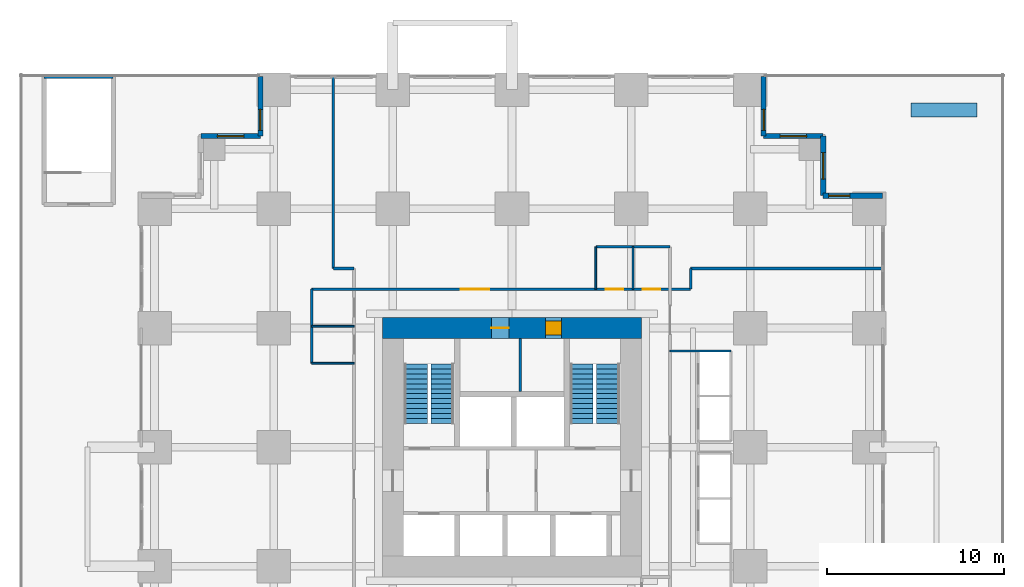
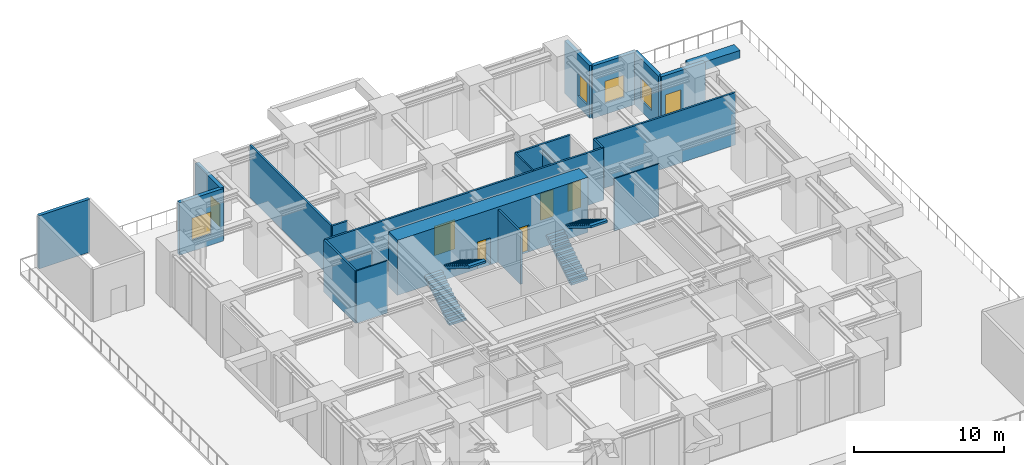
# One storey, part 7 of 9: 22 walls, 6 windows, 5 doors, 4 stair flights, 11 openings, 2 elements without a shape of their own.
"""IFC4 building model written with IfcOpenShell, lengths in metres."""

from ifc_helpers import new_model, si_unit, direction, frame, frame_2d, origin, place, context, subcontext, project, spatial, polyline, rectangle, outline, extrude, material, layer, layer_set, type_object, element, fill, aggregate, save


model = new_model("IFC4")

# Units and contexts
model_context = context("Model", 3, precision=1e-05, world=origin(), true_north=direction((0.0, 1.0)))
body_context = subcontext(model_context, "Body", "Model", "MODEL_VIEW")
ifc_project = project(units=[si_unit("LENGTHUNIT", "METRE"), si_unit("AREAUNIT", "SQUARE_METRE"), si_unit("VOLUMEUNIT", "CUBIC_METRE"), si_unit("PLANEANGLEUNIT", "RADIAN"), si_unit("MASSUNIT", "GRAM", prefix="KILO")], contexts=[model_context])

# Site, building, storey
site_placement = place(None, origin())
site = spatial("IfcSite", under=ifc_project, at=site_placement, CompositionType="ELEMENT")
building_placement = place(site_placement, origin())
building = spatial("IfcBuilding", under=site, at=building_placement, Name="Nyansa Garden Tower", CompositionType="ELEMENT")
storey_placement = place(building_placement, frame((0.0, 0.0, 13.5)))
storey = spatial("IfcBuildingStorey", under=building, at=storey_placement, Name="L03", CompositionType="ELEMENT", Elevation=13.5)

# Wall, openings, doors
ifc_material_1 = material(Name="Concrete C80/95", Category="concrete")
ifc_layer_1 = layer(ifc_material_1, 1.199951171875)
ifc_layer_set_1 = layer_set([ifc_layer_1], Name="Core wall CW1200")
wall_type_1 = type_object("IfcWallType", Name="Core wall CW1200", PredefinedType="SHEAR", material=ifc_layer_set_1)
wall_1_placement = place(storey_placement, frame((27.60009765625, 27.0, 0.0), z_axis=(0.0, 0.0, 1.0), x_axis=(-1.0, 0.0, 0.0)))
wall_1 = element("IfcWall", 1, at=wall_1_placement, inside=storey, type_object=wall_type_1, Name="Core wall N L03", PredefinedType="SHEAR", context=body_context, shape_type="SweptSolid", body=[
    extrude(rectangle(XDim=14.7001953125, YDim=1.199951171875, at=frame_2d((7.35009765625, 0.0))), origin(), (0.0, 0.0, 1.0), 4.5),
])
opening_1_placement = place(wall_1_placement, frame((4.550048828125, 0.0, 0.0)))
opening_1 = element("IfcOpeningElement", 2, at=opening_1_placement, cuts=wall_1, Name="Opening D15", PredefinedType="OPENING", context=body_context, shape_type="SweptSolid", body=[
    extrude(rectangle(XDim=0.89990234375, YDim=2.199951171875, at=frame_2d((0.449951171875, 1.10009765625))), frame((0.0, 0.60986328125, 0.0), z_axis=(0.0, -1.0, 0.0), x_axis=(1.0, 0.0, 0.0)), (0.0, 0.0, 1.0), 1.219970703125),
])
opening_2_placement = place(wall_1_placement, frame((7.52490234375, 0.0, 0.0)))
opening_2 = element("IfcOpeningElement", 3, at=opening_2_placement, cuts=wall_1, Name="Opening D07", PredefinedType="OPENING", context=body_context, shape_type="SweptSolid", body=[
    extrude(rectangle(XDim=1.0, YDim=2.199951171875, at=frame_2d((0.5, 1.10009765625))), frame((0.0, 0.60986328125, 0.0), z_axis=(0.0, -1.0, 0.0), x_axis=(1.0, 0.0, 0.0)), (0.0, 0.0, 1.0), 1.219970703125),
])
ifc_material_2 = material(Name="Timber flush door, 60 minute fire resisting, self-closing", Category="wood")
door_type_1 = type_object("IfcDoorType", Name="Core room door D15 900x2200", OperationType="SINGLE_SWING_LEFT", PredefinedType="DOOR", material=ifc_material_2)
door_1_placement = place(opening_1_placement, origin())
door_1 = element("IfcDoor", 4, at=door_1_placement, inside=storey, type_object=door_type_1, Name="Core room door", OperationType="SINGLE_SWING_LEFT", OverallHeight=2.199951171875, OverallWidth=0.89990234375, PredefinedType="DOOR", context=body_context, shape_type="SweptSolid", body=[
    extrude(rectangle(XDim=0.89990234375, YDim=2.199951171875, at=frame_2d((0.449951171875, 1.10009765625))), frame((0.0, 0.39990234375, 0.0), z_axis=(0.0, -1.0, 0.0), x_axis=(1.0, 0.0, 0.0)), (0.0, 0.0, 1.0), 0.800048828125),
])
fill(opening_1, door_1)
ifc_material_3 = material(Name="Steel door, 120 minute fire resisting", Category="steel")
door_type_2 = type_object("IfcDoorType", Name="Riser door D07 1000x2200", OperationType="SINGLE_SWING_LEFT", PredefinedType="DOOR", material=ifc_material_3)
door_2_placement = place(opening_2_placement, origin())
door_2 = element("IfcDoor", 5, at=door_2_placement, inside=storey, type_object=door_type_2, Name="Riser and refuse room door", OperationType="SINGLE_SWING_LEFT", OverallHeight=2.199951171875, OverallWidth=1.0, PredefinedType="DOOR", context=body_context, shape_type="SweptSolid", body=[
    extrude(rectangle(XDim=1.0, YDim=2.199951171875, at=frame_2d((0.5, 1.10009765625))), frame((0.0, 0.02490234375, 0.0), z_axis=(0.0, -1.0, 0.0), x_axis=(1.0, 0.0, 0.0)), (0.0, 0.0, 1.0), 0.050048828125),
])
fill(opening_2, door_2)

# Walls
ifc_material_4 = material(Name="Steel-stud shaft wall, two layers fire-rated board, EI 120", Category="steel")
ifc_layer_2 = layer(ifc_material_4, 0.10009765625)
ifc_layer_set_2 = layer_set([ifc_layer_2], Name="Lift shaft wall SW100")
wall_type_2 = type_object("IfcWallType", Name="Lift shaft wall SW100", PredefinedType="SHEAR", material=ifc_layer_set_2)
wall_2_placement = place(storey_placement, frame((29.199951171875, 25.699951171875, 0.0), z_axis=(0.0, 0.0, 1.0), x_axis=(1.0, 0.0, 0.0)))
element("IfcWall", 6, at=wall_2_placement, inside=storey, type_object=wall_type_2, Name="Lift shaft wall", PredefinedType="SHEAR", context=body_context, shape_type="SweptSolid", body=[
    extrude(rectangle(XDim=3.449951171875, YDim=0.10009765625, at=frame_2d((1.72509765625, 0.0))), origin(), (0.0, 0.0, 1.0), 4.27490234375),
])
ifc_material_5 = material(Name="Blockwork, plastered both sides", Category="masonry")
ifc_layer_3 = layer(ifc_material_5, 0.14990234375)
ifc_layer_set_3 = layer_set([ifc_layer_3], Name="Partition PW150")
wall_type_3 = type_object("IfcWallType", Name="Partition PW150", PredefinedType="PARTITIONING", material=ifc_layer_set_3)
wall_3_placement = place(storey_placement, frame((20.72509765625, 23.39990234375, 0.0), z_axis=(0.0, 0.0, 1.0), x_axis=(0.0, 1.0, 0.0)))
element("IfcWall", 7, at=wall_3_placement, inside=storey, type_object=wall_type_3, Name="Partition", PredefinedType="PARTITIONING", context=body_context, shape_type="SweptSolid", body=[
    extrude(rectangle(XDim=3.0, YDim=0.14990234375, at=frame_2d((1.5, 0.0))), origin(), (0.0, 0.0, 1.0), 4.27490234375),
])
wall_4_placement = place(storey_placement, frame((8.89990234375, 25.0, 0.0), z_axis=(0.0, 0.0, 1.0), x_axis=(0.0, 1.0, 0.0)))
element("IfcWall", 8, at=wall_4_placement, inside=storey, type_object=wall_type_3, Name="Partition", PredefinedType="PARTITIONING", context=body_context, shape_type="SweptSolid", body=[
    extrude(rectangle(XDim=4.199951171875, YDim=0.14990234375, at=frame_2d((2.10009765625, 0.0))), origin(), (0.0, 0.0, 1.0), 4.27490234375),
])

# Wall, openings, doors
wall_5_placement = place(storey_placement, frame((8.89990234375, 29.199951171875, 0.0), z_axis=(0.0, 0.0, 1.0), x_axis=(1.0, 0.0, 0.0)))
wall_5 = element("IfcWall", 9, at=wall_5_placement, inside=storey, type_object=wall_type_3, Name="Partition", PredefinedType="PARTITIONING", context=body_context, shape_type="SweptSolid", body=[
    extrude(rectangle(XDim=21.47509765625, YDim=0.14990234375, at=frame_2d((10.737548828125, 0.0))), origin(), (0.0, 0.0, 1.0), 4.27490234375),
])
opening_3_placement = place(wall_5_placement, frame((16.64990234375, 0.0, 0.0)))
opening_3 = element("IfcOpeningElement", 10, at=opening_3_placement, cuts=wall_5, Name="Opening D08", PredefinedType="OPENING", context=body_context, shape_type="SweptSolid", body=[
    extrude(rectangle(XDim=1.0, YDim=2.199951171875, at=frame_2d((0.5, 1.10009765625))), frame((0.0, 0.0849609375, 0.0), z_axis=(0.0, -1.0, 0.0), x_axis=(1.0, 0.0, 0.0)), (0.0, 0.0, 1.0), 0.169921875),
])
opening_4_placement = place(wall_5_placement, frame((18.75, 0.0, 0.0)))
opening_4 = element("IfcOpeningElement", 11, at=opening_4_placement, cuts=wall_5, Name="Opening D08", PredefinedType="OPENING", context=body_context, shape_type="SweptSolid", body=[
    extrude(rectangle(XDim=1.0, YDim=2.199951171875, at=frame_2d((0.5, 1.10009765625))), frame((0.0, 0.0849609375, 0.0), z_axis=(0.0, -1.0, 0.0), x_axis=(1.0, 0.0, 0.0)), (0.0, 0.0, 1.0), 0.169921875),
])
opening_5_placement = place(wall_5_placement, frame((8.449951171875, 0.0, 0.0)))
opening_5 = element("IfcOpeningElement", 12, at=opening_5_placement, cuts=wall_5, Name="Opening D12", PredefinedType="OPENING", context=body_context, shape_type="SweptSolid", body=[
    extrude(rectangle(XDim=1.60009765625, YDim=2.39990234375, at=frame_2d((0.800048828125, 1.199951171875))), frame((0.0, 0.0849609375, 0.0), z_axis=(0.0, -1.0, 0.0), x_axis=(1.0, 0.0, 0.0)), (0.0, 0.0, 1.0), 0.169921875),
])
ifc_material_6 = material(Name="Timber flush door, outward opening", Category="wood")
door_type_3 = type_object("IfcDoorType", Name="Accessible WC door D08 1000x2200", OperationType="SINGLE_SWING_LEFT", PredefinedType="DOOR", material=ifc_material_6)
door_3_placement = place(opening_3_placement, origin())
door_3 = element("IfcDoor", 13, at=door_3_placement, inside=storey, type_object=door_type_3, Name="Door L03-023", OperationType="SINGLE_SWING_LEFT", OverallHeight=2.199951171875, OverallWidth=1.0, PredefinedType="DOOR", context=body_context, shape_type="SweptSolid", body=[
    extrude(rectangle(XDim=1.0, YDim=2.199951171875, at=frame_2d((0.5, 1.10009765625))), frame((0.0, 0.02490234375, 0.0), z_axis=(0.0, -1.0, 0.0), x_axis=(1.0, 0.0, 0.0)), (0.0, 0.0, 1.0), 0.050048828125),
])
fill(opening_3, door_3)
door_4_placement = place(opening_4_placement, origin())
door_4 = element("IfcDoor", 14, at=door_4_placement, inside=storey, type_object=door_type_3, Name="Door L03-024", OperationType="SINGLE_SWING_LEFT", OverallHeight=2.199951171875, OverallWidth=1.0, PredefinedType="DOOR", context=body_context, shape_type="SweptSolid", body=[
    extrude(rectangle(XDim=1.0, YDim=2.199951171875, at=frame_2d((0.5, 1.10009765625))), frame((0.0, 0.02490234375, 0.0), z_axis=(0.0, -1.0, 0.0), x_axis=(1.0, 0.0, 0.0)), (0.0, 0.0, 1.0), 0.050048828125),
])
fill(opening_4, door_4)
ifc_material_7 = material(Name="Black aluminium glazed door, 60 minute fire resisting", Category="aluminium")
door_type_4 = type_object("IfcDoorType", Name="Amenity door D12 1600x2400", OperationType="DOUBLE_DOOR_SINGLE_SWING", PredefinedType="DOOR", material=ifc_material_7)
door_5_placement = place(opening_5_placement, origin())
door_5 = element("IfcDoor", 15, at=door_5_placement, inside=storey, type_object=door_type_4, Name="Door L03-025", OperationType="DOUBLE_DOOR_SINGLE_SWING", OverallHeight=2.39990234375, OverallWidth=1.60009765625, PredefinedType="DOOR", context=body_context, shape_type="SweptSolid", body=[
    extrude(rectangle(XDim=1.60009765625, YDim=2.39990234375, at=frame_2d((0.800048828125, 1.199951171875))), frame((0.0, 0.02490234375, 0.0), z_axis=(0.0, -1.0, 0.0), x_axis=(1.0, 0.0, 0.0)), (0.0, 0.0, 1.0), 0.050048828125),
])
fill(opening_5, door_5)

# Walls
wall_6_placement = place(storey_placement, frame((10.125, 30.375, 0.0), z_axis=(0.0, 0.0, 1.0), x_axis=(0.0, 1.0, 0.0)))
element("IfcWall", 16, at=wall_6_placement, inside=storey, type_object=wall_type_3, Name="Partition", PredefinedType="PARTITIONING", context=body_context, shape_type="SweptSolid", body=[
    extrude(rectangle(XDim=10.85888671875, YDim=0.14990234375, at=frame_2d((5.429443359375, 0.0))), origin(), (0.0, 0.0, 1.0), 4.27490234375),
])
wall_7_placement = place(storey_placement, frame((10.125, 30.375, 0.0), z_axis=(0.0, 0.0, 1.0), x_axis=(1.0, 0.0, 0.0)))
element("IfcWall", 17, at=wall_7_placement, inside=storey, type_object=wall_type_3, Name="Partition", PredefinedType="PARTITIONING", context=body_context, shape_type="SweptSolid", body=[
    extrude(rectangle(XDim=1.175048828125, YDim=0.14990234375, at=frame_2d((0.58740234375, 0.0))), origin(), (0.0, 0.0, 1.0), 4.27490234375),
])
wall_8_placement = place(storey_placement, frame((25.0, 31.60009765625, 0.0), z_axis=(0.0, 0.0, 1.0), x_axis=(1.0, 0.0, 0.0)))
element("IfcWall", 18, at=wall_8_placement, inside=storey, type_object=wall_type_3, Name="Partition", PredefinedType="PARTITIONING", context=body_context, shape_type="SweptSolid", body=[
    extrude(rectangle(XDim=4.199951171875, YDim=0.14990234375, at=frame_2d((2.10009765625, 0.0))), origin(), (0.0, 0.0, 1.0), 4.27490234375),
])
wall_9_placement = place(storey_placement, frame((30.375, 29.199951171875, 0.0), z_axis=(0.0, 0.0, 1.0), x_axis=(0.0, 1.0, 0.0)))
element("IfcWall", 19, at=wall_9_placement, inside=storey, type_object=wall_type_3, Name="Partition", PredefinedType="PARTITIONING", context=body_context, shape_type="SweptSolid", body=[
    extrude(rectangle(XDim=1.175048828125, YDim=0.14990234375, at=frame_2d((0.58740234375, 0.0))), origin(), (0.0, 0.0, 1.0), 4.27490234375),
])
wall_10_placement = place(storey_placement, frame((30.375, 30.375, 0.0), z_axis=(0.0, 0.0, 1.0), x_axis=(1.0, 0.0, 0.0)))
element("IfcWall", 20, at=wall_10_placement, inside=storey, type_object=wall_type_3, Name="Partition", PredefinedType="PARTITIONING", context=body_context, shape_type="SweptSolid", body=[
    extrude(rectangle(XDim=10.85888671875, YDim=0.14990234375, at=frame_2d((5.429443359375, 0.0))), origin(), (0.0, 0.0, 1.0), 4.27490234375),
])
ifc_material_8 = material(Name="Reinforced blockwork, 120 minute fire resisting", Category="masonry")
ifc_layer_4 = layer(ifc_material_8, 0.25)
ifc_layer_set_4 = layer_set([ifc_layer_4], Name="Stair enclosure wall SW250")
wall_type_4 = type_object("IfcWallType", Name="Stair enclosure wall SW250", PredefinedType="SOLIDWALL", material=ifc_layer_set_4)
wall_11_placement = place(storey_placement, frame((-6.25, 41.25, -0.06005859375), z_axis=(0.0, 0.0, 1.0), x_axis=(1.0, 0.0, 0.0)))
element("IfcWall", 21, at=wall_11_placement, inside=storey, type_object=wall_type_4, Name="Stair enclosure wall", PredefinedType="SOLIDWALL", context=body_context, shape_type="SweptSolid", body=[
    extrude(rectangle(XDim=3.89990234375, YDim=0.25, at=frame_2d((1.949951171875, 0.0))), origin(), (0.0, 0.0, 1.0), 4.3349609375),
])
ifc_material_9 = material(Name="Concrete C40/50 planter, waterproofed", Category="concrete")
ifc_layer_5 = layer(ifc_material_9, 0.800048828125)
ifc_layer_set_5 = layer_set([ifc_layer_5], Name="Terrace planter TP2")
wall_type_5 = type_object("IfcWallType", Name="Terrace planter TP2", PredefinedType="USERDEFINED", material=ifc_layer_set_5)
wall_12_placement = place(storey_placement, frame((42.85009765625, 39.35009765625, -0.06005859375), z_axis=(0.0, 0.0, 1.0), x_axis=(1.0, 0.0, 0.0)))
element("IfcWall", 22, at=wall_12_placement, inside=storey, type_object=wall_type_5, Name="Terrace planter L03", ObjectType="TERRACE PLANTER", PredefinedType="USERDEFINED", context=body_context, shape_type="SweptSolid", body=[
    extrude(rectangle(XDim=3.75, YDim=0.800048828125, at=frame_2d((1.875, 0.0))), origin(), (0.0, 0.0, 1.0), 0.66015625),
])

# Wall, opening, window
ifc_material_10 = material(Name="Turquoise glazed tile on concrete blockwork", Category="masonry")
ifc_layer_6 = layer(ifc_material_10, 0.300048828125)
ifc_layer_set_6 = layer_set([ifc_layer_6], Name="Tiled corner wall TW300")
wall_type_6 = type_object("IfcWallType", Name="Tiled corner wall TW300", PredefinedType="SOLIDWALL", material=ifc_layer_set_6)
wall_13_placement = place(storey_placement, frame((41.25, 34.5, 0.0), z_axis=(0.0, 0.0, 1.0), x_axis=(-1.0, 0.0, 0.0)))
wall_13 = element("IfcWall", 23, at=wall_13_placement, inside=storey, type_object=wall_type_6, Name="Tiled corner wall L03", PredefinedType="SOLIDWALL", context=body_context, shape_type="SweptSolid", body=[
    extrude(rectangle(XDim=3.375, YDim=0.300048828125, at=frame_2d((1.6875, 0.0))), origin(), (0.0, 0.0, 1.0), 4.27490234375),
])
opening_6_placement = place(wall_13_placement, frame((1.857421875, 0.0, 0.89990234375)))
opening_6 = element("IfcOpeningElement", 24, at=opening_6_placement, cuts=wall_13, Name="Opening W4", PredefinedType="OPENING", context=body_context, shape_type="SweptSolid", body=[
    extrude(rectangle(XDim=1.199951171875, YDim=1.800048828125, at=frame_2d((0.60009765625, 0.89990234375))), frame((0.0, 0.159912109375, 0.0), z_axis=(0.0, -1.0, 0.0), x_axis=(1.0, 0.0, 0.0)), (0.0, 0.0, 1.0), 0.320068359375),
])
ifc_material_11 = material(Name="Black aluminium frame, dark tinted double glazing", Category="aluminium")
window_type_1 = type_object("IfcWindowType", Name="Window W4 1200x1800", PartitioningType="SINGLE_PANEL", PredefinedType="WINDOW", material=ifc_material_11)
window_1_placement = place(opening_6_placement, origin())
window_1 = element("IfcWindow", 25, at=window_1_placement, inside=storey, type_object=window_type_1, Name="Corner window L03", OverallHeight=1.800048828125, OverallWidth=1.199951171875, PartitioningType="SINGLE_PANEL", PredefinedType="WINDOW", context=body_context, shape_type="SweptSolid", body=[
    extrude(rectangle(XDim=1.199951171875, YDim=1.800048828125, at=frame_2d((0.60009765625, 0.89990234375))), frame((0.0, 0.030029296875, 0.0), z_axis=(0.0, -1.0, 0.0), x_axis=(1.0, 0.0, 0.0)), (0.0, 0.0, 1.0), 0.06005859375),
])
fill(opening_6, window_1)

wall_14_placement = place(storey_placement, frame((37.875, 34.5, 0.0), z_axis=(0.0, 0.0, 1.0), x_axis=(0.0, 1.0, 0.0)))
wall_14 = element("IfcWall", 26, at=wall_14_placement, inside=storey, type_object=wall_type_6, Name="Tiled corner wall L03", PredefinedType="SOLIDWALL", context=body_context, shape_type="SweptSolid", body=[
    extrude(rectangle(XDim=3.375, YDim=0.300048828125, at=frame_2d((1.6875, 0.0))), origin(), (0.0, 0.0, 1.0), 4.27490234375),
])
opening_7_placement = place(wall_14_placement, frame((0.9375, 0.0, 0.89990234375)))
opening_7 = element("IfcOpeningElement", 27, at=opening_7_placement, cuts=wall_14, Name="Opening W1", PredefinedType="OPENING", context=body_context, shape_type="SweptSolid", body=[
    extrude(rectangle(XDim=1.5, YDim=1.800048828125, at=frame_2d((0.75, 0.89990234375))), frame((0.0, 0.159912109375, 0.0), z_axis=(0.0, -1.0, 0.0), x_axis=(1.0, 0.0, 0.0)), (0.0, 0.0, 1.0), 0.320068359375),
])
ifc_material_12 = material(Name="Black aluminium frame, dark tinted double glazing", Category="aluminium")
window_type_2 = type_object("IfcWindowType", Name="Window W1 1500x1800", PartitioningType="SINGLE_PANEL", PredefinedType="WINDOW", material=ifc_material_12)
window_2_placement = place(opening_7_placement, origin())
window_2 = element("IfcWindow", 28, at=window_2_placement, inside=storey, type_object=window_type_2, Name="Corner window L03", OverallHeight=1.800048828125, OverallWidth=1.5, PartitioningType="SINGLE_PANEL", PredefinedType="WINDOW", context=body_context, shape_type="SweptSolid", body=[
    extrude(rectangle(XDim=1.5, YDim=1.800048828125, at=frame_2d((0.75, 0.89990234375))), frame((0.0, 0.030029296875, 0.0), z_axis=(0.0, -1.0, 0.0), x_axis=(1.0, 0.0, 0.0)), (0.0, 0.0, 1.0), 0.06005859375),
])
fill(opening_7, window_2)

wall_15_placement = place(storey_placement, frame((37.875, 37.875, 0.0), z_axis=(0.0, 0.0, 1.0), x_axis=(-1.0, 0.0, 0.0)))
wall_15 = element("IfcWall", 29, at=wall_15_placement, inside=storey, type_object=wall_type_6, Name="Tiled corner wall L03", PredefinedType="SOLIDWALL", context=body_context, shape_type="SweptSolid", body=[
    extrude(rectangle(XDim=3.375, YDim=0.300048828125, at=frame_2d((1.6875, 0.0))), origin(), (0.0, 0.0, 1.0), 4.27490234375),
])
opening_8_placement = place(wall_15_placement, frame((0.9375, 0.0, 0.89990234375)))
opening_8 = element("IfcOpeningElement", 30, at=opening_8_placement, cuts=wall_15, Name="Opening W1", PredefinedType="OPENING", context=body_context, shape_type="SweptSolid", body=[
    extrude(rectangle(XDim=1.5, YDim=1.800048828125, at=frame_2d((0.75, 0.89990234375))), frame((0.0, 0.159912109375, 0.0), z_axis=(0.0, -1.0, 0.0), x_axis=(1.0, 0.0, 0.0)), (0.0, 0.0, 1.0), 0.320068359375),
])
window_3_placement = place(opening_8_placement, origin())
window_3 = element("IfcWindow", 31, at=window_3_placement, inside=storey, type_object=window_type_2, Name="Corner window L03", OverallHeight=1.800048828125, OverallWidth=1.5, PartitioningType="SINGLE_PANEL", PredefinedType="WINDOW", context=body_context, shape_type="SweptSolid", body=[
    extrude(rectangle(XDim=1.5, YDim=1.800048828125, at=frame_2d((0.75, 0.89990234375))), frame((0.0, 0.030029296875, 0.0), z_axis=(0.0, -1.0, 0.0), x_axis=(1.0, 0.0, 0.0)), (0.0, 0.0, 1.0), 0.06005859375),
])
fill(opening_8, window_3)

wall_16_placement = place(storey_placement, frame((34.5, 37.875, 0.0), z_axis=(0.0, 0.0, 1.0), x_axis=(0.0, 1.0, 0.0)))
wall_16 = element("IfcWall", 32, at=wall_16_placement, inside=storey, type_object=wall_type_6, Name="Tiled corner wall L03", PredefinedType="SOLIDWALL", context=body_context, shape_type="SweptSolid", body=[
    extrude(rectangle(XDim=3.375, YDim=0.300048828125, at=frame_2d((1.6875, 0.0))), origin(), (0.0, 0.0, 1.0), 4.27490234375),
])
opening_9_placement = place(wall_16_placement, frame((0.3173828125, 0.0, 0.89990234375)))
opening_9 = element("IfcOpeningElement", 33, at=opening_9_placement, cuts=wall_16, Name="Opening W4", PredefinedType="OPENING", context=body_context, shape_type="SweptSolid", body=[
    extrude(rectangle(XDim=1.199951171875, YDim=1.800048828125, at=frame_2d((0.60009765625, 0.89990234375))), frame((0.0, 0.159912109375, 0.0), z_axis=(0.0, -1.0, 0.0), x_axis=(1.0, 0.0, 0.0)), (0.0, 0.0, 1.0), 0.320068359375),
])
window_4_placement = place(opening_9_placement, origin())
window_4 = element("IfcWindow", 34, at=window_4_placement, inside=storey, type_object=window_type_1, Name="Corner window L03", OverallHeight=1.800048828125, OverallWidth=1.199951171875, PartitioningType="SINGLE_PANEL", PredefinedType="WINDOW", context=body_context, shape_type="SweptSolid", body=[
    extrude(rectangle(XDim=1.199951171875, YDim=1.800048828125, at=frame_2d((0.60009765625, 0.89990234375))), frame((0.0, 0.030029296875, 0.0), z_axis=(0.0, -1.0, 0.0), x_axis=(1.0, 0.0, 0.0)), (0.0, 0.0, 1.0), 0.06005859375),
])
fill(opening_9, window_4)

wall_17_placement = place(storey_placement, frame((6.0, 41.25, 0.0), z_axis=(0.0, 0.0, 1.0), x_axis=(0.0, -1.0, 0.0)))
wall_17 = element("IfcWall", 35, at=wall_17_placement, inside=storey, type_object=wall_type_6, Name="Tiled corner wall L03", PredefinedType="SOLIDWALL", context=body_context, shape_type="SweptSolid", body=[
    extrude(rectangle(XDim=3.375, YDim=0.300048828125, at=frame_2d((1.6875, 0.0))), origin(), (0.0, 0.0, 1.0), 4.27490234375),
])
opening_10_placement = place(wall_17_placement, frame((1.857421875, 0.0, 0.89990234375)))
opening_10 = element("IfcOpeningElement", 36, at=opening_10_placement, cuts=wall_17, Name="Opening W4", PredefinedType="OPENING", context=body_context, shape_type="SweptSolid", body=[
    extrude(rectangle(XDim=1.199951171875, YDim=1.800048828125, at=frame_2d((0.60009765625, 0.89990234375))), frame((0.0, 0.159912109375, 0.0), z_axis=(0.0, -1.0, 0.0), x_axis=(1.0, 0.0, 0.0)), (0.0, 0.0, 1.0), 0.320068359375),
])
window_5_placement = place(opening_10_placement, origin())
window_5 = element("IfcWindow", 37, at=window_5_placement, inside=storey, type_object=window_type_1, Name="Corner window L03", OverallHeight=1.800048828125, OverallWidth=1.199951171875, PartitioningType="SINGLE_PANEL", PredefinedType="WINDOW", context=body_context, shape_type="SweptSolid", body=[
    extrude(rectangle(XDim=1.199951171875, YDim=1.800048828125, at=frame_2d((0.60009765625, 0.89990234375))), frame((0.0, 0.030029296875, 0.0), z_axis=(0.0, -1.0, 0.0), x_axis=(1.0, 0.0, 0.0)), (0.0, 0.0, 1.0), 0.06005859375),
])
fill(opening_10, window_5)

wall_18_placement = place(storey_placement, frame((6.0, 37.875, 0.0), z_axis=(0.0, 0.0, 1.0), x_axis=(-1.0, 0.0, 0.0)))
wall_18 = element("IfcWall", 38, at=wall_18_placement, inside=storey, type_object=wall_type_6, Name="Tiled corner wall L03", PredefinedType="SOLIDWALL", context=body_context, shape_type="SweptSolid", body=[
    extrude(rectangle(XDim=3.375, YDim=0.300048828125, at=frame_2d((1.6875, 0.0))), origin(), (0.0, 0.0, 1.0), 4.27490234375),
])
opening_11_placement = place(wall_18_placement, frame((0.9375, 0.0, 0.89990234375)))
opening_11 = element("IfcOpeningElement", 39, at=opening_11_placement, cuts=wall_18, Name="Opening W1", PredefinedType="OPENING", context=body_context, shape_type="SweptSolid", body=[
    extrude(rectangle(XDim=1.5, YDim=1.800048828125, at=frame_2d((0.75, 0.89990234375))), frame((0.0, 0.159912109375, 0.0), z_axis=(0.0, -1.0, 0.0), x_axis=(1.0, 0.0, 0.0)), (0.0, 0.0, 1.0), 0.320068359375),
])
window_6_placement = place(opening_11_placement, origin())
window_6 = element("IfcWindow", 40, at=window_6_placement, inside=storey, type_object=window_type_2, Name="Corner window L03", OverallHeight=1.800048828125, OverallWidth=1.5, PartitioningType="SINGLE_PANEL", PredefinedType="WINDOW", context=body_context, shape_type="SweptSolid", body=[
    extrude(rectangle(XDim=1.5, YDim=1.800048828125, at=frame_2d((0.75, 0.89990234375))), frame((0.0, 0.030029296875, 0.0), z_axis=(0.0, -1.0, 0.0), x_axis=(1.0, 0.0, 0.0)), (0.0, 0.0, 1.0), 0.06005859375),
])
fill(opening_11, window_6)

# Walls
ifc_material_13 = material(Name="Moisture resistant board on steel studs, tiled", Category="steel")
ifc_layer_7 = layer(ifc_material_13, 0.10009765625)
ifc_layer_set_7 = layer_set([ifc_layer_7], Name="Wet wall PW100")
wall_type_7 = type_object("IfcWallType", Name="Wet wall PW100", PredefinedType="PARTITIONING", material=ifc_layer_set_7)
wall_19_placement = place(storey_placement, frame((8.89990234375, 25.0, 0.0), z_axis=(0.0, 0.0, 1.0), x_axis=(1.0, 0.0, 0.0)))
element("IfcWall", 41, at=wall_19_placement, inside=storey, type_object=wall_type_7, Name="Wet wall", PredefinedType="PARTITIONING", context=body_context, shape_type="SweptSolid", body=[
    extrude(rectangle(XDim=2.400146484375, YDim=0.10009765625, at=frame_2d((1.2001953125, 0.0))), origin(), (0.0, 0.0, 1.0), 4.27490234375),
])
wall_20_placement = place(storey_placement, frame((8.89990234375, 27.10009765625, 0.0), z_axis=(0.0, 0.0, 1.0), x_axis=(1.0, 0.0, 0.0)))
element("IfcWall", 42, at=wall_20_placement, inside=storey, type_object=wall_type_7, Name="Wet wall", PredefinedType="PARTITIONING", context=body_context, shape_type="SweptSolid", body=[
    extrude(rectangle(XDim=2.400146484375, YDim=0.10009765625, at=frame_2d((1.2001953125, 0.0))), origin(), (0.0, 0.0, 1.0), 3.777099609375),
])
wall_21_placement = place(storey_placement, frame((25.0, 29.199951171875, 0.0), z_axis=(0.0, 0.0, 1.0), x_axis=(0.0, 1.0, 0.0)))
element("IfcWall", 43, at=wall_21_placement, inside=storey, type_object=wall_type_7, Name="Wet wall", PredefinedType="PARTITIONING", context=body_context, shape_type="SweptSolid", body=[
    extrude(rectangle(XDim=2.400146484375, YDim=0.10009765625, at=frame_2d((1.2001953125, 0.0))), origin(), (0.0, 0.0, 1.0), 4.27490234375),
])
wall_22_placement = place(storey_placement, frame((27.10009765625, 29.199951171875, 0.0), z_axis=(0.0, 0.0, 1.0), x_axis=(0.0, 1.0, 0.0)))
element("IfcWall", 44, at=wall_22_placement, inside=storey, type_object=wall_type_7, Name="Wet wall", PredefinedType="PARTITIONING", context=body_context, shape_type="SweptSolid", body=[
    extrude(rectangle(XDim=2.400146484375, YDim=0.10009765625, at=frame_2d((1.2001953125, 0.0))), origin(), (0.0, 0.0, 1.0), 3.777099609375),
])

# Stair, stair flights
ifc_material_14 = material(Name="Precast concrete C40/50", Category="concrete")
stair_type_1 = type_object("IfcStairType", Name="Stair S1 173x280", PredefinedType="HALF_TURN_STAIR", material=ifc_material_14)
stair_1_placement = place(storey_placement, origin())
stair_1 = element("IfcStair", 45, at=stair_1_placement, inside=storey, type_object=stair_type_1, Name="Stair S1 L03", PredefinedType="HALF_TURN_STAIR")
ifc_material_15 = material(Name="Precast concrete C40/50", Category="concrete")
stair_flight_type_1 = type_object("IfcStairFlightType", Name="Stair flight S1 173x280x13", PredefinedType="STRAIGHT", material=ifc_material_15)
stair_flight_1_placement = place(storey_placement, frame((14.800048828125, 21.60009765625, 0.0), z_axis=(0.0, 0.0, 1.0), x_axis=(0.0, 1.0, 0.0)))
stair_flight_1 = element("IfcStairFlight", 46, at=stair_flight_1_placement, type_object=stair_flight_type_1, Name="S1 flight 1", NumberOfRisers=13, NumberOfTreads=12, PredefinedType="STRAIGHT", RiserHeight=0.173076923, TreadLength=0.28, context=body_context, shape_type="SweptSolid", body=[
    extrude(outline(polyline([(0.0, 0.0), (0.0, 0.173095703125), (0.280029296875, 0.173095703125), (0.280029296875, 0.34619140625), (0.56005859375, 0.34619140625), (0.56005859375, 0.519287109375), (0.840087890625, 0.519287109375), (0.840087890625, 0.6923828125), (1.1201171875, 0.6923828125), (1.1201171875, 0.865478515625), (1.39990234375, 0.865478515625), (1.39990234375, 1.03857421875), (1.679931640625, 1.03857421875), (1.679931640625, 1.21142578125), (1.9599609375, 1.21142578125), (1.9599609375, 1.384521484375), (2.239990234375, 1.384521484375), (2.239990234375, 1.5576171875), (2.52001953125, 1.5576171875), (2.52001953125, 1.730712890625), (2.800048828125, 1.730712890625), (2.800048828125, 1.90380859375), (3.080078125, 1.90380859375), (3.080078125, 2.076904296875), (3.360107421875, 2.076904296875), (3.360107421875, 2.25), (3.360107421875, 1.900634765625), (0.28515625, 0.0), (0.0, 0.0)])), frame((0.0, 0.64990234375, 0.0), z_axis=(0.0, -1.0, 0.0), x_axis=(1.0, 0.0, 0.0)), (0.0, 0.0, 1.0), 1.300048828125),
])
stair_flight_2_placement = place(storey_placement, frame((16.300048828125, 24.9599609375, 2.25), z_axis=(0.0, 0.0, 1.0), x_axis=(0.0, -1.0, 0.0)))
stair_flight_2 = element("IfcStairFlight", 47, at=stair_flight_2_placement, type_object=stair_flight_type_1, Name="S1 flight 2", NumberOfRisers=13, NumberOfTreads=12, PredefinedType="STRAIGHT", RiserHeight=0.173076923, TreadLength=0.28, context=body_context, shape_type="SweptSolid", body=[
    extrude(outline(polyline([(0.0, 0.0), (0.0, 0.173095703125), (0.280029296875, 0.173095703125), (0.280029296875, 0.34619140625), (0.56005859375, 0.34619140625), (0.56005859375, 0.519287109375), (0.840087890625, 0.519287109375), (0.840087890625, 0.6923828125), (1.1201171875, 0.6923828125), (1.1201171875, 0.865478515625), (1.39990234375, 0.865478515625), (1.39990234375, 1.03857421875), (1.679931640625, 1.03857421875), (1.679931640625, 1.21142578125), (1.9599609375, 1.21142578125), (1.9599609375, 1.384521484375), (2.239990234375, 1.384521484375), (2.239990234375, 1.5576171875), (2.52001953125, 1.5576171875), (2.52001953125, 1.730712890625), (2.800048828125, 1.730712890625), (2.800048828125, 1.90380859375), (3.080078125, 1.90380859375), (3.080078125, 2.076904296875), (3.360107421875, 2.076904296875), (3.360107421875, 2.25), (3.360107421875, 1.900634765625), (0.28515625, 0.0), (0.0, 0.0)])), frame((0.0, 0.64990234375, 0.0), z_axis=(0.0, -1.0, 0.0), x_axis=(1.0, 0.0, 0.0)), (0.0, 0.0, 1.0), 1.300048828125),
])
aggregate(stair_1, [stair_flight_1, stair_flight_2])

ifc_material_16 = material(Name="Precast concrete C40/50", Category="concrete")
stair_type_2 = type_object("IfcStairType", Name="Stair S2 173x280", PredefinedType="HALF_TURN_STAIR", material=ifc_material_16)
stair_2_placement = place(storey_placement, origin())
stair_2 = element("IfcStair", 48, at=stair_2_placement, inside=storey, type_object=stair_type_2, Name="Stair S2 L03", PredefinedType="HALF_TURN_STAIR")
ifc_material_17 = material(Name="Precast concrete C40/50", Category="concrete")
stair_flight_type_2 = type_object("IfcStairFlightType", Name="Stair flight S2 173x280x13", PredefinedType="STRAIGHT", material=ifc_material_17)
stair_flight_3_placement = place(storey_placement, frame((24.199951171875, 21.60009765625, 0.0), z_axis=(0.0, 0.0, 1.0), x_axis=(0.0, 1.0, 0.0)))
stair_flight_3 = element("IfcStairFlight", 49, at=stair_flight_3_placement, type_object=stair_flight_type_2, Name="S2 flight 1", NumberOfRisers=13, NumberOfTreads=12, PredefinedType="STRAIGHT", RiserHeight=0.173076923, TreadLength=0.28, context=body_context, shape_type="SweptSolid", body=[
    extrude(outline(polyline([(0.0, 0.0), (0.0, 0.173095703125), (0.280029296875, 0.173095703125), (0.280029296875, 0.34619140625), (0.56005859375, 0.34619140625), (0.56005859375, 0.519287109375), (0.840087890625, 0.519287109375), (0.840087890625, 0.6923828125), (1.1201171875, 0.6923828125), (1.1201171875, 0.865478515625), (1.39990234375, 0.865478515625), (1.39990234375, 1.03857421875), (1.679931640625, 1.03857421875), (1.679931640625, 1.21142578125), (1.9599609375, 1.21142578125), (1.9599609375, 1.384521484375), (2.239990234375, 1.384521484375), (2.239990234375, 1.5576171875), (2.52001953125, 1.5576171875), (2.52001953125, 1.730712890625), (2.800048828125, 1.730712890625), (2.800048828125, 1.90380859375), (3.080078125, 1.90380859375), (3.080078125, 2.076904296875), (3.360107421875, 2.076904296875), (3.360107421875, 2.25), (3.360107421875, 1.900634765625), (0.28515625, 0.0), (0.0, 0.0)])), frame((0.0, 0.64990234375, 0.0), z_axis=(0.0, -1.0, 0.0), x_axis=(1.0, 0.0, 0.0)), (0.0, 0.0, 1.0), 1.300048828125),
])
stair_flight_4_placement = place(storey_placement, frame((25.699951171875, 24.9599609375, 2.25), z_axis=(0.0, 0.0, 1.0), x_axis=(0.0, -1.0, 0.0)))
stair_flight_4 = element("IfcStairFlight", 50, at=stair_flight_4_placement, type_object=stair_flight_type_2, Name="S2 flight 2", NumberOfRisers=13, NumberOfTreads=12, PredefinedType="STRAIGHT", RiserHeight=0.173076923, TreadLength=0.28, context=body_context, shape_type="SweptSolid", body=[
    extrude(outline(polyline([(0.0, 0.0), (0.0, 0.173095703125), (0.280029296875, 0.173095703125), (0.280029296875, 0.34619140625), (0.56005859375, 0.34619140625), (0.56005859375, 0.519287109375), (0.840087890625, 0.519287109375), (0.840087890625, 0.6923828125), (1.1201171875, 0.6923828125), (1.1201171875, 0.865478515625), (1.39990234375, 0.865478515625), (1.39990234375, 1.03857421875), (1.679931640625, 1.03857421875), (1.679931640625, 1.21142578125), (1.9599609375, 1.21142578125), (1.9599609375, 1.384521484375), (2.239990234375, 1.384521484375), (2.239990234375, 1.5576171875), (2.52001953125, 1.5576171875), (2.52001953125, 1.730712890625), (2.800048828125, 1.730712890625), (2.800048828125, 1.90380859375), (3.080078125, 1.90380859375), (3.080078125, 2.076904296875), (3.360107421875, 2.076904296875), (3.360107421875, 2.25), (3.360107421875, 1.900634765625), (0.28515625, 0.0), (0.0, 0.0)])), frame((0.0, 0.64990234375, 0.0), z_axis=(0.0, -1.0, 0.0), x_axis=(1.0, 0.0, 0.0)), (0.0, 0.0, 1.0), 1.300048828125),
])
aggregate(stair_2, [stair_flight_3, stair_flight_4])

save(model, "model.ifc")
